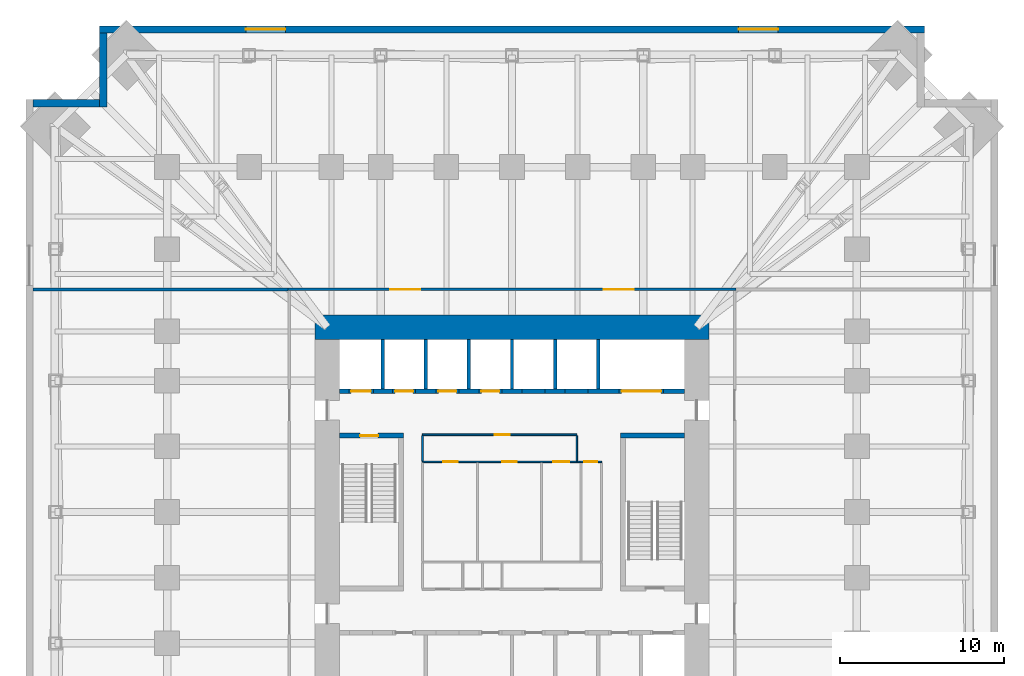
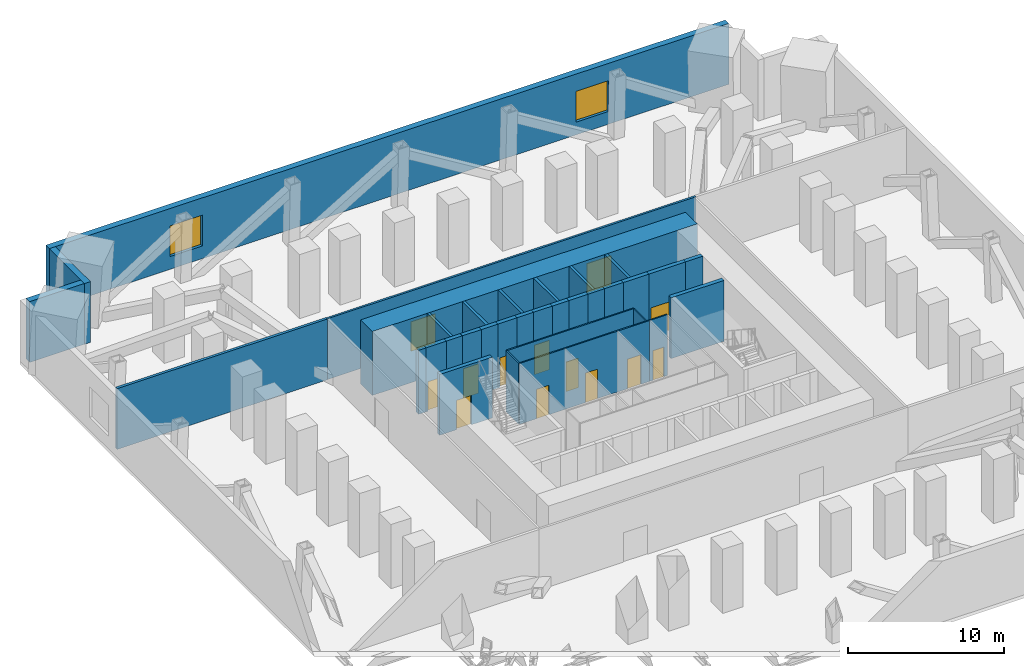
# One storey, part 7 of 9: 34 walls, 13 doors, 2 windows, 15 openings.
"""IFC4 building model written with IfcOpenShell, lengths in metres."""

from ifc_helpers import new_model, si_unit, direction, frame, frame_2d, origin, place, context, subcontext, project, spatial, rectangle, extrude, material, layer, layer_set, type_object, element, fill, save


model = new_model("IFC4")

# Units and contexts
model_context = context("Model", 3, precision=1e-05, world=origin(), true_north=direction((0.0, 1.0)))
body_context = subcontext(model_context, "Body", "Model", "MODEL_VIEW")
ifc_project = project(units=[si_unit("LENGTHUNIT", "METRE"), si_unit("AREAUNIT", "SQUARE_METRE"), si_unit("VOLUMEUNIT", "CUBIC_METRE"), si_unit("PLANEANGLEUNIT", "RADIAN"), si_unit("MASSUNIT", "GRAM", prefix="KILO")], contexts=[model_context])

# Site, building, storey
site_placement = place(None, origin())
site = spatial("IfcSite", under=ifc_project, at=site_placement, CompositionType="ELEMENT")
building_placement = place(site_placement, origin())
building = spatial("IfcBuilding", under=site, at=building_placement, Name="Peilmerk Tower", CompositionType="ELEMENT")
storey_placement = place(building_placement, frame((0.0, 0.0, 76.0)))
storey = spatial("IfcBuildingStorey", under=building, at=storey_placement, Name="L14", CompositionType="ELEMENT", Elevation=76.0)

# Wall, openings, windows
ifc_material_1 = material(Name="Precast concrete C45/55, board-marked finish", Category="concrete")
ifc_layer_1 = layer(ifc_material_1, 0.449951171875)
ifc_layer_set_1 = layer_set([ifc_layer_1], Name="Precast concrete C45/55, board-marked finish")
wall_type_1 = type_object("IfcWallType", Name="EW1 450 precast concrete facade wall, board-marked", PredefinedType="SOLIDWALL", material=ifc_layer_set_1)
wall_1_placement = place(storey_placement, frame((25.10009765625, 29.375, 0.0), z_axis=(0.0, 0.0, 1.0), x_axis=(-1.0, 0.0, 0.0)))
wall_1 = element("IfcWall", 1, at=wall_1_placement, inside=storey, type_object=wall_type_1, Name="Facade wall N L14", PredefinedType="SOLIDWALL", context=body_context, shape_type="SweptSolid", body=[
    extrude(rectangle(XDim=50.2001953125, YDim=0.449951171875, at=frame_2d((25.10009765625, 0.0))), origin(), (0.0, 0.0, 1.0), 4.75),
])
opening_1_placement = place(wall_1_placement, frame((8.89990234375, 0.0, 1.0)))
opening_1 = element("IfcOpeningElement", 2, at=opening_1_placement, cuts=wall_1, Name="Opening W5", PredefinedType="OPENING", context=body_context, shape_type="SweptSolid", body=[
    extrude(rectangle(XDim=2.39990234375, YDim=2.39990234375, at=frame_2d((1.199951171875, 1.199951171875))), frame((0.0, 0.23486328125, 0.0), z_axis=(0.0, -1.0, 0.0), x_axis=(1.0, 0.0, 0.0)), (0.0, 0.0, 1.0), 0.469970703125),
])
opening_2_placement = place(wall_1_placement, frame((38.89990234375, 0.0, 1.0)))
opening_2 = element("IfcOpeningElement", 3, at=opening_2_placement, cuts=wall_1, Name="Opening W5", PredefinedType="OPENING", context=body_context, shape_type="SweptSolid", body=[
    extrude(rectangle(XDim=2.39990234375, YDim=2.39990234375, at=frame_2d((1.199951171875, 1.199951171875))), frame((0.0, 0.23486328125, 0.0), z_axis=(0.0, -1.0, 0.0), x_axis=(1.0, 0.0, 0.0)), (0.0, 0.0, 1.0), 0.469970703125),
])
ifc_material_2 = material(Name="Aluminium frame, clear double glazing", Category="aluminium")
window_type = type_object("IfcWindowType", Name="W5 2400x2400 plant louvre", PartitioningType="SINGLE_PANEL", PredefinedType="WINDOW", material=ifc_material_2)
window_1_placement = place(opening_1_placement, origin())
window_1 = element("IfcWindow", 4, at=window_1_placement, inside=storey, type_object=window_type, Name="Window W5 L14", OverallHeight=2.39990234375, OverallWidth=2.39990234375, PartitioningType="SINGLE_PANEL", PredefinedType="WINDOW", context=body_context, shape_type="SweptSolid", body=[
    extrude(rectangle(XDim=2.39990234375, YDim=2.39990234375, at=frame_2d((1.199951171875, 1.199951171875))), frame((0.0, 0.030029296875, 0.0), z_axis=(0.0, -1.0, 0.0), x_axis=(1.0, 0.0, 0.0)), (0.0, 0.0, 1.0), 0.06005859375),
])
fill(opening_1, window_1)
window_2_placement = place(opening_2_placement, origin())
window_2 = element("IfcWindow", 5, at=window_2_placement, inside=storey, type_object=window_type, Name="Window W5 L14", OverallHeight=2.39990234375, OverallWidth=2.39990234375, PartitioningType="SINGLE_PANEL", PredefinedType="WINDOW", context=body_context, shape_type="SweptSolid", body=[
    extrude(rectangle(XDim=2.39990234375, YDim=2.39990234375, at=frame_2d((1.199951171875, 1.199951171875))), frame((0.0, 0.030029296875, 0.0), z_axis=(0.0, -1.0, 0.0), x_axis=(1.0, 0.0, 0.0)), (0.0, 0.0, 1.0), 0.06005859375),
])
fill(opening_2, window_2)

# Walls
wall_2_placement = place(storey_placement, frame((-24.875, 24.64990234375, 0.0), z_axis=(0.0, 0.0, 1.0), x_axis=(0.0, 1.0, 0.0)))
element("IfcWall", 6, at=wall_2_placement, inside=storey, type_object=wall_type_1, Name="Facade wall NWA L14", PredefinedType="SOLIDWALL", context=body_context, shape_type="SweptSolid", body=[
    extrude(rectangle(XDim=4.5, YDim=0.449951171875, at=frame_2d((2.25, 0.0))), origin(), (0.0, 0.0, 1.0), 4.75),
])
wall_3_placement = place(storey_placement, frame((-25.10009765625, 24.875, 0.0), z_axis=(0.0, 0.0, 1.0), x_axis=(-1.0, 0.0, 0.0)))
element("IfcWall", 7, at=wall_3_placement, inside=storey, type_object=wall_type_1, Name="Facade wall NWB L14", PredefinedType="SOLIDWALL", context=body_context, shape_type="SweptSolid", body=[
    extrude(rectangle(XDim=4.0498046875, YDim=0.449951171875, at=frame_2d((2.02490234375, 0.0))), origin(), (0.0, 0.0, 1.0), 4.75),
])

# Wall, openings, doors
ifc_material_3 = material(Name="Calcium silicate block", Category="masonry")
ifc_layer_2 = layer(ifc_material_3, 0.14990234375)
ifc_layer_set_2 = layer_set([ifc_layer_2], Name="Calcium silicate block")
wall_type_2 = type_object("IfcWallType", Name="IW1 150 corridor partition, EI 60", PredefinedType="PARTITIONING", material=ifc_layer_set_2)
wall_4_placement = place(storey_placement, frame((-13.625, 13.550048828125, 0.0), z_axis=(0.0, 0.0, 1.0), x_axis=(1.0, 0.0, 0.0)))
wall_4 = element("IfcWall", 8, at=wall_4_placement, inside=storey, type_object=wall_type_2, Name="Corridor wall N L14", PredefinedType="PARTITIONING", context=body_context, shape_type="SweptSolid", body=[
    extrude(rectangle(XDim=27.25, YDim=0.14990234375, at=frame_2d((13.625, 0.0))), origin(), (0.0, 0.0, 1.0), 4.75),
])
opening_3_placement = place(wall_4_placement, frame((6.22509765625, 0.0, 0.0)))
opening_3 = element("IfcOpeningElement", 9, at=opening_3_placement, cuts=wall_4, Name="Opening D2", PredefinedType="OPENING", context=body_context, shape_type="SweptSolid", body=[
    extrude(rectangle(XDim=1.800048828125, YDim=2.300048828125, at=frame_2d((0.89990234375, 1.14990234375))), frame((0.0, 0.0849609375, 0.0), z_axis=(0.0, -1.0, 0.0), x_axis=(1.0, 0.0, 0.0)), (0.0, 0.0, 1.0), 0.169921875),
])
opening_4_placement = place(wall_4_placement, frame((19.22509765625, 0.0, 0.0)))
opening_4 = element("IfcOpeningElement", 10, at=opening_4_placement, cuts=wall_4, Name="Opening D2", PredefinedType="OPENING", context=body_context, shape_type="SweptSolid", body=[
    extrude(rectangle(XDim=1.800048828125, YDim=2.300048828125, at=frame_2d((0.89990234375, 1.14990234375))), frame((0.0, 0.0849609375, 0.0), z_axis=(0.0, -1.0, 0.0), x_axis=(1.0, 0.0, 0.0)), (0.0, 0.0, 1.0), 0.169921875),
])
ifc_material_4 = material(Name="Steel door in steel frame", Category="steel")
door_type_1 = type_object("IfcDoorType", Name="D2 1800x2300 double door, EI2 60", OperationType="DOUBLE_DOOR_DOUBLE_SWING", PredefinedType="DOOR", material=ifc_material_4)
door_1_placement = place(opening_3_placement, origin())
door_1 = element("IfcDoor", 11, at=door_1_placement, inside=storey, type_object=door_type_1, Name="Door Plant room L14", OperationType="DOUBLE_DOOR_DOUBLE_SWING", OverallHeight=2.300048828125, OverallWidth=1.800048828125, PredefinedType="DOOR", context=body_context, shape_type="SweptSolid", body=[
    extrude(rectangle(XDim=1.800048828125, YDim=2.300048828125, at=frame_2d((0.89990234375, 1.14990234375))), frame((0.0, 0.02490234375, 0.0), z_axis=(0.0, -1.0, 0.0), x_axis=(1.0, 0.0, 0.0)), (0.0, 0.0, 1.0), 0.050048828125),
])
fill(opening_3, door_1)
door_2_placement = place(opening_4_placement, origin())
door_2 = element("IfcDoor", 12, at=door_2_placement, inside=storey, type_object=door_type_1, Name="Door Plant room L14", OperationType="DOUBLE_DOOR_DOUBLE_SWING", OverallHeight=2.300048828125, OverallWidth=1.800048828125, PredefinedType="DOOR", context=body_context, shape_type="SweptSolid", body=[
    extrude(rectangle(XDim=1.800048828125, YDim=2.300048828125, at=frame_2d((0.89990234375, 1.14990234375))), frame((0.0, 0.02490234375, 0.0), z_axis=(0.0, -1.0, 0.0), x_axis=(1.0, 0.0, 0.0)), (0.0, 0.0, 1.0), 0.050048828125),
])
fill(opening_4, door_2)

# Wall
ifc_layer_3 = layer(ifc_material_3, 0.199951171875)
ifc_layer_set_3 = layer_set([ifc_layer_3], Name="Calcium silicate block")
wall_type_3 = type_object("IfcWallType", Name="IW2 200 room separating wall, EI 120", PredefinedType="PARTITIONING", material=ifc_layer_set_3)
wall_5_placement = place(storey_placement, frame((-29.14990234375, 13.550048828125, 0.0), z_axis=(0.0, 0.0, 1.0), x_axis=(1.0, 0.0, 0.0)))
element("IfcWall", 13, at=wall_5_placement, inside=storey, type_object=wall_type_3, Name="Room separating wall NW L14", PredefinedType="PARTITIONING", context=body_context, shape_type="SweptSolid", body=[
    extrude(rectangle(XDim=15.52490234375, YDim=0.199951171875, at=frame_2d((7.762451171875, 0.0))), origin(), (0.0, 0.0, 1.0), 4.75),
])

# Wall, opening, door
ifc_material_5 = material(Name="Concrete C35/45", Category="concrete")
ifc_layer_4 = layer(ifc_material_5, 0.300048828125)
ifc_layer_set_4 = layer_set([ifc_layer_4], Name="Concrete C35/45")
wall_type_4 = type_object("IfcWallType", Name="IW3 300 concrete stair enclosure wall, EI 120", PredefinedType="SOLIDWALL", material=ifc_layer_set_4)
wall_6_placement = place(storey_placement, frame((-10.5, 4.64990234375, 0.0), z_axis=(0.0, 0.0, 1.0), x_axis=(1.0, 0.0, 0.0)))
wall_6 = element("IfcWall", 14, at=wall_6_placement, inside=storey, type_object=wall_type_4, Name="Stair 1 enclosure L14", PredefinedType="SOLIDWALL", context=body_context, shape_type="SweptSolid", body=[
    extrude(rectangle(XDim=3.89990234375, YDim=0.300048828125, at=frame_2d((1.949951171875, 0.0))), origin(), (0.0, 0.0, 1.0), 4.75),
])
opening_5_placement = place(wall_6_placement, frame((1.25, 0.0, 0.0)))
opening_5 = element("IfcOpeningElement", 15, at=opening_5_placement, cuts=wall_6, Name="Opening D4", PredefinedType="OPENING", context=body_context, shape_type="SweptSolid", body=[
    extrude(rectangle(XDim=1.10009765625, YDim=2.300048828125, at=frame_2d((0.550048828125, 1.14990234375))), frame((0.0, 0.159912109375, 0.0), z_axis=(0.0, -1.0, 0.0), x_axis=(1.0, 0.0, 0.0)), (0.0, 0.0, 1.0), 0.320068359375),
])
door_type_2 = type_object("IfcDoorType", Name="D4 1100x2300 stair door, EI2 60", OperationType="SINGLE_SWING_RIGHT", PredefinedType="DOOR", material=ifc_material_4)
door_3_placement = place(opening_5_placement, frame((1.10009765625, 0.0, 0.0), z_axis=(0.0, 0.0, 1.0), x_axis=(-1.0, 0.0, 0.0)))
door_3 = element("IfcDoor", 16, at=door_3_placement, inside=storey, type_object=door_type_2, Name="Stair 1 door L14", OperationType="SINGLE_SWING_RIGHT", OverallHeight=2.300048828125, OverallWidth=1.10009765625, PredefinedType="DOOR", context=body_context, shape_type="SweptSolid", body=[
    extrude(rectangle(XDim=1.10009765625, YDim=2.300048828125, at=frame_2d((0.550048828125, 1.14990234375))), frame((0.0, 0.02490234375, 0.0), z_axis=(0.0, -1.0, 0.0), x_axis=(1.0, 0.0, 0.0)), (0.0, 0.0, 1.0), 0.050048828125),
])
fill(opening_5, door_3)

# Wall
wall_7_placement = place(storey_placement, frame((6.60009765625, 4.64990234375, 0.0), z_axis=(0.0, 0.0, 1.0), x_axis=(1.0, 0.0, 0.0)))
element("IfcWall", 17, at=wall_7_placement, inside=storey, type_object=wall_type_4, Name="Stair 2 enclosure L14", PredefinedType="SOLIDWALL", context=body_context, shape_type="SweptSolid", body=[
    extrude(rectangle(XDim=3.89990234375, YDim=0.300048828125, at=frame_2d((1.949951171875, 0.0))), origin(), (0.0, 0.0, 1.0), 4.75),
])

# Wall, openings, doors
ifc_material_6 = material(Name="Plasterboard on steel studs", Category="steel")
ifc_layer_5 = layer(ifc_material_6, 0.10009765625)
ifc_layer_set_5 = layer_set([ifc_layer_5], Name="Plasterboard on steel studs")
wall_type_5 = type_object("IfcWallType", Name="IW4 100 WC partition", PredefinedType="PARTITIONING", material=ifc_layer_set_5)
wall_8_placement = place(storey_placement, frame((-5.449951171875, 3.050048828125, 0.0), z_axis=(0.0, 0.0, 1.0), x_axis=(1.0, 0.0, 0.0)))
wall_8 = element("IfcWall", 18, at=wall_8_placement, inside=storey, type_object=wall_type_5, Name="WC wall L14", PredefinedType="PARTITIONING", context=body_context, shape_type="SweptSolid", body=[
    extrude(rectangle(XDim=9.599853515625, YDim=0.10009765625, at=frame_2d((4.7998046875, 0.0))), origin(), (0.0, 0.0, 1.0), 4.75),
])
opening_6_placement = place(wall_8_placement, frame((1.25, 0.0, 0.0)))
opening_6 = element("IfcOpeningElement", 19, at=opening_6_placement, cuts=wall_8, Name="Opening D5", PredefinedType="OPENING", context=body_context, shape_type="SweptSolid", body=[
    extrude(rectangle(XDim=0.89990234375, YDim=2.300048828125, at=frame_2d((0.449951171875, 1.14990234375))), frame((0.0, 0.06005859375, 0.0), z_axis=(0.0, -1.0, 0.0), x_axis=(1.0, 0.0, 0.0)), (0.0, 0.0, 1.0), 0.1201171875),
])
opening_7_placement = place(wall_8_placement, frame((4.85009765625, 0.0, 0.0)))
opening_7 = element("IfcOpeningElement", 20, at=opening_7_placement, cuts=wall_8, Name="Opening D5", PredefinedType="OPENING", context=body_context, shape_type="SweptSolid", body=[
    extrude(rectangle(XDim=0.89990234375, YDim=2.300048828125, at=frame_2d((0.449951171875, 1.14990234375))), frame((0.0, 0.06005859375, 0.0), z_axis=(0.0, -1.0, 0.0), x_axis=(1.0, 0.0, 0.0)), (0.0, 0.0, 1.0), 0.1201171875),
])
opening_8_placement = place(wall_8_placement, frame((7.949951171875, 0.0, 0.0)))
opening_8 = element("IfcOpeningElement", 21, at=opening_8_placement, cuts=wall_8, Name="Opening D6", PredefinedType="OPENING", context=body_context, shape_type="SweptSolid", body=[
    extrude(rectangle(XDim=1.0, YDim=2.300048828125, at=frame_2d((0.5, 1.14990234375))), frame((0.0, 0.06005859375, 0.0), z_axis=(0.0, -1.0, 0.0), x_axis=(1.0, 0.0, 0.0)), (0.0, 0.0, 1.0), 0.1201171875),
])
ifc_material_7 = material(Name="Timber door in steel frame", Category="steel")
door_type_3 = type_object("IfcDoorType", Name="D5 900x2300 WC door", OperationType="SINGLE_SWING_LEFT", PredefinedType="DOOR", material=ifc_material_7)
door_4_placement = place(opening_6_placement, frame((0.89990234375, 0.0, 0.0), z_axis=(0.0, 0.0, 1.0), x_axis=(-1.0, 0.0, 0.0)))
door_4 = element("IfcDoor", 22, at=door_4_placement, inside=storey, type_object=door_type_3, Name="Female toilets door L14", OperationType="SINGLE_SWING_LEFT", OverallHeight=2.300048828125, OverallWidth=0.89990234375, PredefinedType="DOOR", context=body_context, shape_type="SweptSolid", body=[
    extrude(rectangle(XDim=0.89990234375, YDim=2.300048828125, at=frame_2d((0.449951171875, 1.14990234375))), frame((0.0, 0.02490234375, 0.0), z_axis=(0.0, -1.0, 0.0), x_axis=(1.0, 0.0, 0.0)), (0.0, 0.0, 1.0), 0.050048828125),
])
fill(opening_6, door_4)
door_5_placement = place(opening_7_placement, frame((0.89990234375, 0.0, 0.0), z_axis=(0.0, 0.0, 1.0), x_axis=(-1.0, 0.0, 0.0)))
door_5 = element("IfcDoor", 23, at=door_5_placement, inside=storey, type_object=door_type_3, Name="Male toilets door L14", OperationType="SINGLE_SWING_LEFT", OverallHeight=2.300048828125, OverallWidth=0.89990234375, PredefinedType="DOOR", context=body_context, shape_type="SweptSolid", body=[
    extrude(rectangle(XDim=0.89990234375, YDim=2.300048828125, at=frame_2d((0.449951171875, 1.14990234375))), frame((0.0, 0.02490234375, 0.0), z_axis=(0.0, -1.0, 0.0), x_axis=(1.0, 0.0, 0.0)), (0.0, 0.0, 1.0), 0.050048828125),
])
fill(opening_7, door_5)
door_type_4 = type_object("IfcDoorType", Name="D6 1000x2300 accessible WC door", OperationType="SLIDING_TO_LEFT", PredefinedType="DOOR", material=ifc_material_7)
door_6_placement = place(opening_8_placement, frame((1.0, 0.0, 0.0), z_axis=(0.0, 0.0, 1.0), x_axis=(-1.0, 0.0, 0.0)))
door_6 = element("IfcDoor", 24, at=door_6_placement, inside=storey, type_object=door_type_4, Name="Accessible WC door L14", OperationType="SLIDING_TO_LEFT", OverallHeight=2.300048828125, OverallWidth=1.0, PredefinedType="DOOR", context=body_context, shape_type="SweptSolid", body=[
    extrude(rectangle(XDim=1.0, YDim=2.300048828125, at=frame_2d((0.5, 1.14990234375))), frame((0.0, 0.02490234375, 0.0), z_axis=(0.0, -1.0, 0.0), x_axis=(1.0, 0.0, 0.0)), (0.0, 0.0, 1.0), 0.050048828125),
])
fill(opening_8, door_6)

# Wall, opening, door
ifc_material_8 = material(Name="Calcium silicate board on steel studs", Category="steel")
ifc_layer_6 = layer(ifc_material_8, 0.10009765625)
ifc_layer_set_6 = layer_set([ifc_layer_6], Name="Calcium silicate board on steel studs")
wall_type_6 = type_object("IfcWallType", Name="IW5 100 riser enclosure wall, EI 60", PredefinedType="PARTITIONING", material=ifc_layer_set_6)
wall_9_placement = place(storey_placement, frame((4.14990234375, 3.050048828125, 0.0), z_axis=(0.0, 0.0, 1.0), x_axis=(1.0, 0.0, 0.0)))
wall_9 = element("IfcWall", 25, at=wall_9_placement, inside=storey, type_object=wall_type_6, Name="Riser wall L14", PredefinedType="PARTITIONING", context=body_context, shape_type="SweptSolid", body=[
    extrude(rectangle(XDim=1.300048828125, YDim=0.10009765625, at=frame_2d((0.64990234375, 0.0))), origin(), (0.0, 0.0, 1.0), 4.75),
])
opening_9_placement = place(wall_9_placement, frame((0.25, 0.0, 0.0)))
opening_9 = element("IfcOpeningElement", 26, at=opening_9_placement, cuts=wall_9, Name="Opening D7", PredefinedType="OPENING", context=body_context, shape_type="SweptSolid", body=[
    extrude(rectangle(XDim=0.800048828125, YDim=2.300048828125, at=frame_2d((0.39990234375, 1.14990234375))), frame((0.0, 0.06005859375, 0.0), z_axis=(0.0, -1.0, 0.0), x_axis=(1.0, 0.0, 0.0)), (0.0, 0.0, 1.0), 0.1201171875),
])
door_type_5 = type_object("IfcDoorType", Name="D7 800x2300 riser access door, EI2 60", OperationType="SINGLE_SWING_RIGHT", PredefinedType="DOOR", material=ifc_material_4)
door_7_placement = place(opening_9_placement, frame((0.800048828125, 0.0, 0.0), z_axis=(0.0, 0.0, 1.0), x_axis=(-1.0, 0.0, 0.0)))
door_7 = element("IfcDoor", 27, at=door_7_placement, inside=storey, type_object=door_type_5, Name="Plumbing riser door L14", OperationType="SINGLE_SWING_RIGHT", OverallHeight=2.300048828125, OverallWidth=0.800048828125, PredefinedType="DOOR", context=body_context, shape_type="SweptSolid", body=[
    extrude(rectangle(XDim=0.800048828125, YDim=2.300048828125, at=frame_2d((0.39990234375, 1.14990234375))), frame((0.0, 0.02490234375, 0.0), z_axis=(0.0, -1.0, 0.0), x_axis=(1.0, 0.0, 0.0)), (0.0, 0.0, 1.0), 0.050048828125),
])
fill(opening_9, door_7)

ifc_material_9 = material(Name="Fire-resisting plasterboard on steel studs", Category="steel")
ifc_layer_7 = layer(ifc_material_9, 0.10009765625)
ifc_layer_set_7 = layer_set([ifc_layer_7], Name="Fire-resisting plasterboard on steel studs")
wall_type_7 = type_object("IfcWallType", Name="IW9 100 WC lobby wall, EI 30", PredefinedType="PARTITIONING", material=ifc_layer_set_7)
wall_10_placement = place(storey_placement, frame((-5.449951171875, 4.699951171875, 0.0), z_axis=(0.0, 0.0, 1.0), x_axis=(1.0, 0.0, 0.0)))
wall_10 = element("IfcWall", 28, at=wall_10_placement, inside=storey, type_object=wall_type_7, Name="WC lobby wall L14", PredefinedType="PARTITIONING", context=body_context, shape_type="SweptSolid", body=[
    extrude(rectangle(XDim=9.39990234375, YDim=0.10009765625, at=frame_2d((4.699951171875, 0.0))), origin(), (0.0, 0.0, 1.0), 4.75),
])
opening_10_placement = place(wall_10_placement, frame((4.39990234375, 0.0, 0.0)))
opening_10 = element("IfcOpeningElement", 29, at=opening_10_placement, cuts=wall_10, Name="Opening D11", PredefinedType="OPENING", context=body_context, shape_type="SweptSolid", body=[
    extrude(rectangle(XDim=0.89990234375, YDim=2.300048828125, at=frame_2d((0.449951171875, 1.14990234375))), frame((0.0, 0.06005859375, 0.0), z_axis=(0.0, -1.0, 0.0), x_axis=(1.0, 0.0, 0.0)), (0.0, 0.0, 1.0), 0.1201171875),
])
door_type_6 = type_object("IfcDoorType", Name="D11 900x2300 WC lobby door, EI2 30", OperationType="SINGLE_SWING_LEFT", PredefinedType="DOOR", material=ifc_material_7)
door_8_placement = place(opening_10_placement, frame((0.89990234375, 0.0, 0.0), z_axis=(0.0, 0.0, 1.0), x_axis=(-1.0, 0.0, 0.0)))
door_8 = element("IfcDoor", 30, at=door_8_placement, inside=storey, type_object=door_type_6, Name="WC lobby door L14", OperationType="SINGLE_SWING_LEFT", OverallHeight=2.300048828125, OverallWidth=0.89990234375, PredefinedType="DOOR", context=body_context, shape_type="SweptSolid", body=[
    extrude(rectangle(XDim=0.89990234375, YDim=2.300048828125, at=frame_2d((0.449951171875, 1.14990234375))), frame((0.0, 0.02490234375, 0.0), z_axis=(0.0, -1.0, 0.0), x_axis=(1.0, 0.0, 0.0)), (0.0, 0.0, 1.0), 0.050048828125),
])
fill(opening_10, door_8)

# Walls
for number, where, z_axis, x_axis, name in (
    (31, (-5.449951171875, 3.10009765625, 0.0), (0.0, 0.0, 1.0), (0.0, 1.0, 0.0), "WC lobby wall L14"),
    (32, (3.949951171875, 3.10009765625, 0.0), (0.0, 0.0, 1.0), (0.0, 1.0, 0.0), "WC lobby wall L14"),
):
    element("IfcWall", number, at=place(storey_placement, frame(where, z_axis=z_axis, x_axis=x_axis)), inside=storey, type_object=wall_type_7, Name=name, PredefinedType="PARTITIONING", context=body_context, shape_type="SweptSolid", body=[
        extrude(rectangle(XDim=1.5498046875, YDim=0.10009765625, at=frame_2d((0.77490234375, 0.0))), origin(), (0.0, 0.0, 1.0), 4.75),
    ])
ifc_layer_8 = layer(ifc_material_3, 0.199951171875)
ifc_layer_set_8 = layer_set([ifc_layer_8], Name="Calcium silicate block")
wall_type_8 = type_object("IfcWallType", Name="SH1 200 shaft dividing wall, EI 120", PredefinedType="PARTITIONING", material=ifc_layer_set_8)
for number, where, z_axis, x_axis, name in (
    (33, (-7.875, 7.5, 0.0), (0.0, 0.0, 1.0), (0.0, 1.0, 0.0), "Shaft wall N FL1 L14"),
    (34, (-5.25, 7.5, 0.0), (0.0, 0.0, 1.0), (0.0, 1.0, 0.0), "Shaft wall N A1 L14"),
    (35, (-2.625, 7.5, 0.0), (0.0, 0.0, 1.0), (0.0, 1.0, 0.0), "Shaft wall N A2 L14"),
    (36, (0.0, 7.5, 0.0), (0.0, 0.0, 1.0), (0.0, 1.0, 0.0), "Shaft wall N A3 L14"),
    (37, (2.625, 7.5, 0.0), (0.0, 0.0, 1.0), (0.0, 1.0, 0.0), "Shaft wall N S1 L14"),
    (38, (5.25, 7.5, 0.0), (0.0, 0.0, 1.0), (0.0, 1.0, 0.0), "Shaft wall N S2 L14"),
):
    element("IfcWall", number, at=place(storey_placement, frame(where, z_axis=z_axis, x_axis=x_axis)), inside=storey, type_object=wall_type_8, Name=name, PredefinedType="PARTITIONING", context=body_context, shape_type="SweptSolid", body=[
        extrude(rectangle(XDim=3.0, YDim=0.199951171875, at=frame_2d((1.5, 0.0))), origin(), (0.0, 0.0, 1.0), 5.0),
    ])

# Wall, opening, door
ifc_layer_9 = layer(ifc_material_3, 0.300048828125)
ifc_layer_set_9 = layer_set([ifc_layer_9], Name="Calcium silicate block")
wall_type_9 = type_object("IfcWallType", Name="SH2 300 lift landing door panel, EI 120", PredefinedType="PARTITIONING", material=ifc_layer_set_9)
wall_11_placement = place(storey_placement, frame((-9.9375, 7.35009765625, 0.0), z_axis=(0.0, 0.0, 1.0), x_axis=(1.0, 0.0, 0.0)))
wall_11 = element("IfcWall", 39, at=wall_11_placement, inside=storey, type_object=wall_type_9, Name="Lift door panel N FL1 L14", PredefinedType="PARTITIONING", context=body_context, shape_type="SweptSolid", body=[
    extrude(rectangle(XDim=1.5, YDim=0.300048828125, at=frame_2d((0.75, 0.0))), origin(), (0.0, 0.0, 1.0), 5.0),
])
opening_11_placement = place(wall_11_placement, frame((0.14990234375, 0.0, 0.0)))
opening_11 = element("IfcOpeningElement", 40, at=opening_11_placement, cuts=wall_11, Name="Opening LD2", PredefinedType="OPENING", context=body_context, shape_type="SweptSolid", body=[
    extrude(rectangle(XDim=1.199951171875, YDim=2.300048828125, at=frame_2d((0.60009765625, 1.14990234375))), frame((0.0, 0.159912109375, 0.0), z_axis=(0.0, -1.0, 0.0), x_axis=(1.0, 0.0, 0.0)), (0.0, 0.0, 1.0), 0.320068359375),
])
ifc_material_10 = material(Name="Stainless steel landing door", Category="steel")
door_type_7 = type_object("IfcDoorType", Name="LD2 1200x2300 lift landing door, sliding, EI2 60", OperationType="SLIDING_TO_LEFT", PredefinedType="DOOR", material=ifc_material_10)
door_9_placement = place(opening_11_placement, frame((1.199951171875, 0.0, 0.0), z_axis=(0.0, 0.0, 1.0), x_axis=(-1.0, 0.0, 0.0)))
door_9 = element("IfcDoor", 41, at=door_9_placement, inside=storey, type_object=door_type_7, Name="Lift landing door FL1 L14", OperationType="SLIDING_TO_LEFT", OverallHeight=2.300048828125, OverallWidth=1.199951171875, PredefinedType="DOOR", context=body_context, shape_type="SweptSolid", body=[
    extrude(rectangle(XDim=1.199951171875, YDim=2.300048828125, at=frame_2d((0.60009765625, 1.14990234375))), frame((0.0, 0.02490234375, 0.0), z_axis=(0.0, -1.0, 0.0), x_axis=(1.0, 0.0, 0.0)), (0.0, 0.0, 1.0), 0.050048828125),
])
fill(opening_11, door_9)

wall_12_placement = place(storey_placement, frame((-7.262451171875, 7.35009765625, 0.0), z_axis=(0.0, 0.0, 1.0), x_axis=(1.0, 0.0, 0.0)))
wall_12 = element("IfcWall", 42, at=wall_12_placement, inside=storey, type_object=wall_type_9, Name="Lift door panel N A1 L14", PredefinedType="PARTITIONING", context=body_context, shape_type="SweptSolid", body=[
    extrude(rectangle(XDim=1.39990234375, YDim=0.300048828125, at=frame_2d((0.699951171875, 0.0))), origin(), (0.0, 0.0, 1.0), 5.0),
])
opening_12_placement = place(wall_12_placement, frame((0.14990234375, 0.0, 0.0)))
opening_12 = element("IfcOpeningElement", 43, at=opening_12_placement, cuts=wall_12, Name="Opening LD1", PredefinedType="OPENING", context=body_context, shape_type="SweptSolid", body=[
    extrude(rectangle(XDim=1.10009765625, YDim=2.300048828125, at=frame_2d((0.550048828125, 1.14990234375))), frame((0.0, 0.159912109375, 0.0), z_axis=(0.0, -1.0, 0.0), x_axis=(1.0, 0.0, 0.0)), (0.0, 0.0, 1.0), 0.320068359375),
])
door_type_8 = type_object("IfcDoorType", Name="LD1 1100x2300 lift landing door, sliding, EI2 60", OperationType="SLIDING_TO_LEFT", PredefinedType="DOOR", material=ifc_material_10)
door_10_placement = place(opening_12_placement, frame((1.10009765625, 0.0, 0.0), z_axis=(0.0, 0.0, 1.0), x_axis=(-1.0, 0.0, 0.0)))
door_10 = element("IfcDoor", 44, at=door_10_placement, inside=storey, type_object=door_type_8, Name="Lift landing door A1 L14", OperationType="SLIDING_TO_LEFT", OverallHeight=2.300048828125, OverallWidth=1.10009765625, PredefinedType="DOOR", context=body_context, shape_type="SweptSolid", body=[
    extrude(rectangle(XDim=1.10009765625, YDim=2.300048828125, at=frame_2d((0.550048828125, 1.14990234375))), frame((0.0, 0.02490234375, 0.0), z_axis=(0.0, -1.0, 0.0), x_axis=(1.0, 0.0, 0.0)), (0.0, 0.0, 1.0), 0.050048828125),
])
fill(opening_12, door_10)

wall_13_placement = place(storey_placement, frame((-4.637451171875, 7.35009765625, 0.0), z_axis=(0.0, 0.0, 1.0), x_axis=(1.0, 0.0, 0.0)))
wall_13 = element("IfcWall", 45, at=wall_13_placement, inside=storey, type_object=wall_type_9, Name="Lift door panel N A2 L14", PredefinedType="PARTITIONING", context=body_context, shape_type="SweptSolid", body=[
    extrude(rectangle(XDim=1.39990234375, YDim=0.300048828125, at=frame_2d((0.699951171875, 0.0))), origin(), (0.0, 0.0, 1.0), 5.0),
])
opening_13_placement = place(wall_13_placement, frame((0.14990234375, 0.0, 0.0)))
opening_13 = element("IfcOpeningElement", 46, at=opening_13_placement, cuts=wall_13, Name="Opening LD1", PredefinedType="OPENING", context=body_context, shape_type="SweptSolid", body=[
    extrude(rectangle(XDim=1.10009765625, YDim=2.300048828125, at=frame_2d((0.550048828125, 1.14990234375))), frame((0.0, 0.159912109375, 0.0), z_axis=(0.0, -1.0, 0.0), x_axis=(1.0, 0.0, 0.0)), (0.0, 0.0, 1.0), 0.320068359375),
])
door_11_placement = place(opening_13_placement, frame((1.10009765625, 0.0, 0.0), z_axis=(0.0, 0.0, 1.0), x_axis=(-1.0, 0.0, 0.0)))
door_11 = element("IfcDoor", 47, at=door_11_placement, inside=storey, type_object=door_type_8, Name="Lift landing door A2 L14", OperationType="SLIDING_TO_LEFT", OverallHeight=2.300048828125, OverallWidth=1.10009765625, PredefinedType="DOOR", context=body_context, shape_type="SweptSolid", body=[
    extrude(rectangle(XDim=1.10009765625, YDim=2.300048828125, at=frame_2d((0.550048828125, 1.14990234375))), frame((0.0, 0.02490234375, 0.0), z_axis=(0.0, -1.0, 0.0), x_axis=(1.0, 0.0, 0.0)), (0.0, 0.0, 1.0), 0.050048828125),
])
fill(opening_13, door_11)

wall_14_placement = place(storey_placement, frame((-2.012451171875, 7.35009765625, 0.0), z_axis=(0.0, 0.0, 1.0), x_axis=(1.0, 0.0, 0.0)))
wall_14 = element("IfcWall", 48, at=wall_14_placement, inside=storey, type_object=wall_type_9, Name="Lift door panel N A3 L14", PredefinedType="PARTITIONING", context=body_context, shape_type="SweptSolid", body=[
    extrude(rectangle(XDim=1.39990234375, YDim=0.300048828125, at=frame_2d((0.699951171875, 0.0))), origin(), (0.0, 0.0, 1.0), 5.0),
])
opening_14_placement = place(wall_14_placement, frame((0.14990234375, 0.0, 0.0)))
opening_14 = element("IfcOpeningElement", 49, at=opening_14_placement, cuts=wall_14, Name="Opening LD1", PredefinedType="OPENING", context=body_context, shape_type="SweptSolid", body=[
    extrude(rectangle(XDim=1.10009765625, YDim=2.300048828125, at=frame_2d((0.550048828125, 1.14990234375))), frame((0.0, 0.159912109375, 0.0), z_axis=(0.0, -1.0, 0.0), x_axis=(1.0, 0.0, 0.0)), (0.0, 0.0, 1.0), 0.320068359375),
])
door_12_placement = place(opening_14_placement, frame((1.10009765625, 0.0, 0.0), z_axis=(0.0, 0.0, 1.0), x_axis=(-1.0, 0.0, 0.0)))
door_12 = element("IfcDoor", 50, at=door_12_placement, inside=storey, type_object=door_type_8, Name="Lift landing door A3 L14", OperationType="SLIDING_TO_LEFT", OverallHeight=2.300048828125, OverallWidth=1.10009765625, PredefinedType="DOOR", context=body_context, shape_type="SweptSolid", body=[
    extrude(rectangle(XDim=1.10009765625, YDim=2.300048828125, at=frame_2d((0.550048828125, 1.14990234375))), frame((0.0, 0.02490234375, 0.0), z_axis=(0.0, -1.0, 0.0), x_axis=(1.0, 0.0, 0.0)), (0.0, 0.0, 1.0), 0.050048828125),
])
fill(opening_14, door_12)

# Walls
for number, where, z_axis, x_axis, name in (
    (51, (0.612548828125, 7.35009765625, 0.0), (0.0, 0.0, 1.0), (1.0, 0.0, 0.0), "Lift door panel N S1 L14"),
    (52, (3.237548828125, 7.35009765625, 0.0), (0.0, 0.0, 1.0), (1.0, 0.0, 0.0), "Lift door panel N S2 L14"),
):
    element("IfcWall", number, at=place(storey_placement, frame(where, z_axis=z_axis, x_axis=x_axis)), inside=storey, type_object=wall_type_9, Name=name, PredefinedType="PARTITIONING", context=body_context, shape_type="SweptSolid", body=[
        extrude(rectangle(XDim=1.39990234375, YDim=0.300048828125, at=frame_2d((0.699951171875, 0.0))), origin(), (0.0, 0.0, 1.0), 5.0),
    ])

# Wall, opening, door
wall_15_placement = place(storey_placement, frame((6.52490234375, 7.35009765625, 0.0), z_axis=(0.0, 0.0, 1.0), x_axis=(1.0, 0.0, 0.0)))
wall_15 = element("IfcWall", 53, at=wall_15_placement, inside=storey, type_object=wall_type_9, Name="Lift door panel N GL1 L14", PredefinedType="PARTITIONING", context=body_context, shape_type="SweptSolid", body=[
    extrude(rectangle(XDim=2.7001953125, YDim=0.300048828125, at=frame_2d((1.35009765625, 0.0))), origin(), (0.0, 0.0, 1.0), 5.0),
])
opening_15_placement = place(wall_15_placement, frame((0.14990234375, 0.0, 0.0)))
opening_15 = element("IfcOpeningElement", 54, at=opening_15_placement, cuts=wall_15, Name="Opening LD3", PredefinedType="OPENING", context=body_context, shape_type="SweptSolid", body=[
    extrude(rectangle(XDim=2.39990234375, YDim=2.300048828125, at=frame_2d((1.199951171875, 1.14990234375))), frame((0.0, 0.159912109375, 0.0), z_axis=(0.0, -1.0, 0.0), x_axis=(1.0, 0.0, 0.0)), (0.0, 0.0, 1.0), 0.320068359375),
])
door_type_9 = type_object("IfcDoorType", Name="LD3 2400x2300 lift landing door, sliding, EI2 60", OperationType="SLIDING_TO_LEFT", PredefinedType="DOOR", material=ifc_material_10)
door_13_placement = place(opening_15_placement, frame((2.39990234375, 0.0, 0.0), z_axis=(0.0, 0.0, 1.0), x_axis=(-1.0, 0.0, 0.0)))
door_13 = element("IfcDoor", 55, at=door_13_placement, inside=storey, type_object=door_type_9, Name="Lift landing door GL1 L14", OperationType="SLIDING_TO_LEFT", OverallHeight=2.300048828125, OverallWidth=2.39990234375, PredefinedType="DOOR", context=body_context, shape_type="SweptSolid", body=[
    extrude(rectangle(XDim=2.39990234375, YDim=2.300048828125, at=frame_2d((1.199951171875, 1.14990234375))), frame((0.0, 0.02490234375, 0.0), z_axis=(0.0, -1.0, 0.0), x_axis=(1.0, 0.0, 0.0)), (0.0, 0.0, 1.0), 0.050048828125),
])
fill(opening_15, door_13)

# Walls
ifc_material_11 = material(Name="Concrete C55/67", Category="concrete")
ifc_layer_10 = layer(ifc_material_11, 1.5)
ifc_layer_set_10 = layer_set([ifc_layer_10], Name="Concrete C55/67")
wall_type_10 = type_object("IfcWallType", Name="SW1 1500 core wall", PredefinedType="SHEAR", material=ifc_layer_set_10)
wall_16_placement = place(storey_placement, frame((-12.0, 11.25, 0.0), z_axis=(0.0, 0.0, 1.0), x_axis=(1.0, 0.0, 0.0)))
element("IfcWall", 56, at=wall_16_placement, inside=storey, type_object=wall_type_10, Name="Core wall N L14", PredefinedType="SHEAR", context=body_context, shape_type="SweptSolid", body=[
    extrude(rectangle(XDim=24.0, YDim=1.5, at=frame_2d((12.0, 0.0))), origin(), (0.0, 0.0, 1.0), 5.0),
])
ifc_layer_11 = layer(ifc_material_11, 0.300048828125)
ifc_layer_set_11 = layer_set([ifc_layer_11], Name="Concrete C55/67")
wall_type_11 = type_object("IfcWallType", Name="SW2 300 lift bank pier", PredefinedType="SHEAR", material=ifc_layer_set_11)
wall_17_placement = place(storey_placement, frame((-10.5, 7.35009765625, 0.0), z_axis=(0.0, 0.0, 1.0), x_axis=(1.0, 0.0, 0.0)))
element("IfcWall", 57, at=wall_17_placement, inside=storey, type_object=wall_type_11, Name="Lift bank pier N L14", PredefinedType="SHEAR", context=body_context, shape_type="SweptSolid", body=[
    extrude(rectangle(XDim=0.5625, YDim=0.300048828125, at=frame_2d((0.28125, 0.0))), origin(), (0.0, 0.0, 1.0), 5.0),
])
wall_18_placement = place(storey_placement, frame((-8.4375, 7.35009765625, 0.0), z_axis=(0.0, 0.0, 1.0), x_axis=(1.0, 0.0, 0.0)))
element("IfcWall", 58, at=wall_18_placement, inside=storey, type_object=wall_type_11, Name="Lift bank pier N L14", PredefinedType="SHEAR", context=body_context, shape_type="SweptSolid", body=[
    extrude(rectangle(XDim=1.175048828125, YDim=0.300048828125, at=frame_2d((0.58740234375, 0.0))), origin(), (0.0, 0.0, 1.0), 5.0),
])
for number, where, z_axis, x_axis, name in (
    (59, (-5.862548828125, 7.35009765625, 0.0), (0.0, 0.0, 1.0), (1.0, 0.0, 0.0), "Lift bank pier N L14"),
    (60, (-3.237548828125, 7.35009765625, 0.0), (0.0, 0.0, 1.0), (1.0, 0.0, 0.0), "Lift bank pier N L14"),
    (61, (-0.612548828125, 7.35009765625, 0.0), (0.0, 0.0, 1.0), (1.0, 0.0, 0.0), "Lift bank pier N L14"),
    (62, (2.012451171875, 7.35009765625, 0.0), (0.0, 0.0, 1.0), (1.0, 0.0, 0.0), "Lift bank pier N L14"),
):
    element("IfcWall", number, at=place(storey_placement, frame(where, z_axis=z_axis, x_axis=x_axis)), inside=storey, type_object=wall_type_11, Name=name, PredefinedType="SHEAR", context=body_context, shape_type="SweptSolid", body=[
        extrude(rectangle(XDim=1.22509765625, YDim=0.300048828125, at=frame_2d((0.612548828125, 0.0))), origin(), (0.0, 0.0, 1.0), 5.0),
    ])
wall_19_placement = place(storey_placement, frame((4.637451171875, 7.35009765625, 0.0), z_axis=(0.0, 0.0, 1.0), x_axis=(1.0, 0.0, 0.0)))
element("IfcWall", 63, at=wall_19_placement, inside=storey, type_object=wall_type_11, Name="Lift bank pier N L14", PredefinedType="SHEAR", context=body_context, shape_type="SweptSolid", body=[
    extrude(rectangle(XDim=1.887451171875, YDim=0.300048828125, at=frame_2d((0.94384765625, 0.0))), origin(), (0.0, 0.0, 1.0), 5.0),
])
wall_20_placement = place(storey_placement, frame((9.22509765625, 7.35009765625, 0.0), z_axis=(0.0, 0.0, 1.0), x_axis=(1.0, 0.0, 0.0)))
element("IfcWall", 64, at=wall_20_placement, inside=storey, type_object=wall_type_11, Name="Lift bank pier N L14", PredefinedType="SHEAR", context=body_context, shape_type="SweptSolid", body=[
    extrude(rectangle(XDim=1.27490234375, YDim=0.300048828125, at=frame_2d((0.637451171875, 0.0))), origin(), (0.0, 0.0, 1.0), 5.0),
])

save(model, "model.ifc")
